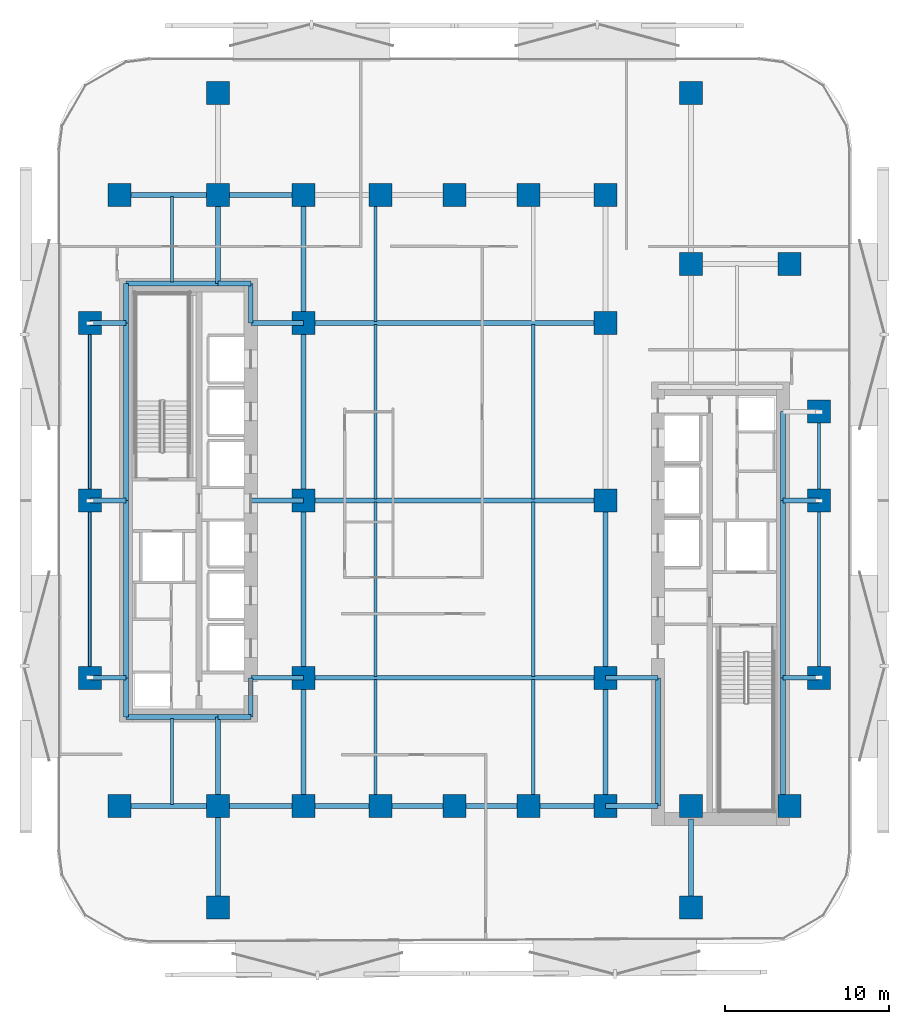
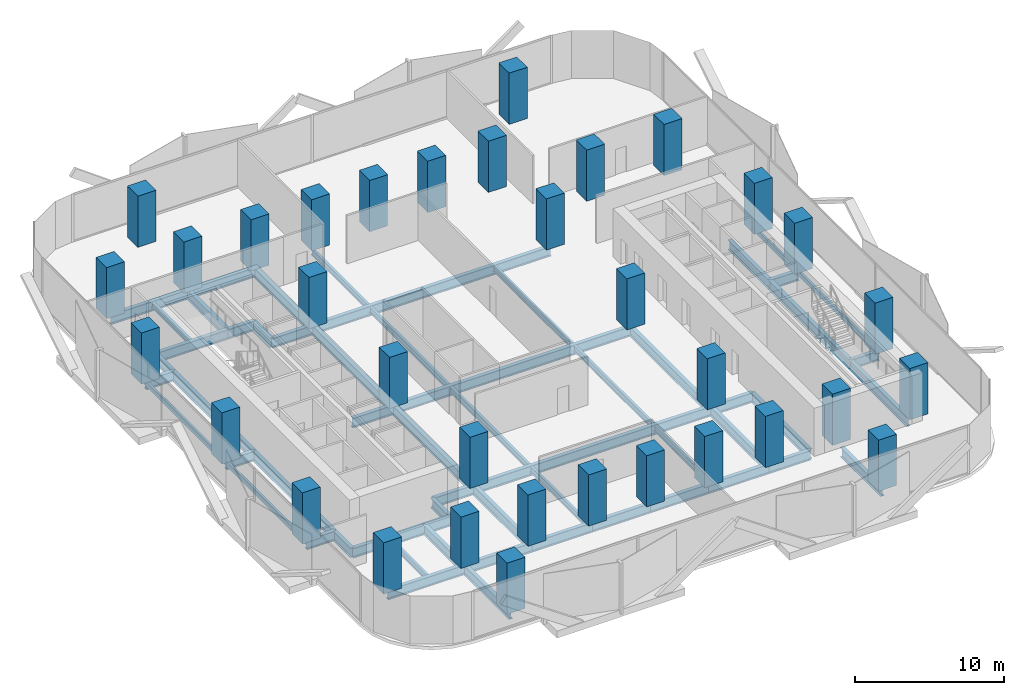
# One storey, part 1 of 15: 58 beams, 34 columns.
"""IFC4 building model written with IfcOpenShell, lengths in metres."""

from ifc_helpers import new_model, si_unit, direction, frame, origin, origin_2d, place, context, subcontext, project, spatial, rectangle, hollow_rectangle, i_section, extrude, material, material_profile, profile_set, type_object, element, save


model = new_model("IFC4")

# Units and contexts
model_context = context("Model", 3, precision=1e-05, world=origin(), true_north=direction((0.0, 1.0)))
body_context = subcontext(model_context, "Body", "Model", "MODEL_VIEW")
ifc_project = project(units=[si_unit("LENGTHUNIT", "METRE"), si_unit("AREAUNIT", "SQUARE_METRE"), si_unit("VOLUMEUNIT", "CUBIC_METRE"), si_unit("PLANEANGLEUNIT", "RADIAN"), si_unit("MASSUNIT", "GRAM", prefix="KILO")], contexts=[model_context])

# Site, building, storey
site_placement = place(None, origin())
site = spatial("IfcSite", under=ifc_project, at=site_placement, CompositionType="ELEMENT")
building_placement = place(site_placement, origin())
building = spatial("IfcBuilding", under=site, at=building_placement, Name="Khairoan Windgate Tower", CompositionType="ELEMENT")
storey_placement = place(building_placement, frame((0.0, 0.0, 72.199951171875)))
storey = spatial("IfcBuildingStorey", under=building, at=storey_placement, Name="L17", CompositionType="ELEMENT", Elevation=72.199951171875)

# Columns
ifc_material_1 = material(Name="Concrete C60/75", Category="concrete")
ifc_material_profile_1 = material_profile(ifc_material_1, rectangle(XDim=1.39990234375, YDim=1.39990234375, at=origin_2d()))
ifc_profile_set_1 = profile_set([ifc_material_profile_1], Name="Concrete C60/75")
column_type = type_object("IfcColumnType", Name="Column C-T2 RC1400x1400", PredefinedType="COLUMN", material=ifc_profile_set_1)
for number, where, z_axis, x_axis, name in (
    (1, (-9.199951171875, -18.60009765625, 0.0), (0.0, 0.0, 1.0), (1.0, 0.0, 0.0), "Column L17-01"),
    (2, (-9.199951171875, -10.800048828125, 0.0), (0.0, 0.0, 1.0), (1.0, 0.0, 0.0), "Column L17-02"),
    (3, (-9.199951171875, 0.0, 0.0), (0.0, 0.0, 1.0), (1.0, 0.0, 0.0), "Column L17-03"),
    (4, (-9.199951171875, 10.800048828125, 0.0), (0.0, 0.0, 1.0), (1.0, 0.0, 0.0), "Column L17-04"),
    (5, (-9.199951171875, 18.60009765625, 0.0), (0.0, 0.0, 1.0), (1.0, 0.0, 0.0), "Column L17-05"),
    (6, (9.199951171875, -18.60009765625, 0.0), (0.0, 0.0, 1.0), (1.0, 0.0, 0.0), "Column L17-06"),
    (7, (9.199951171875, -10.800048828125, 0.0), (0.0, 0.0, 1.0), (1.0, 0.0, 0.0), "Column L17-07"),
    (8, (9.199951171875, 0.0, 0.0), (0.0, 0.0, 1.0), (1.0, 0.0, 0.0), "Column L17-08"),
    (9, (9.199951171875, 10.800048828125, 0.0), (0.0, 0.0, 1.0), (1.0, 0.0, 0.0), "Column L17-09"),
    (10, (9.199951171875, 18.60009765625, 0.0), (0.0, 0.0, 1.0), (1.0, 0.0, 0.0), "Column L17-10"),
    (11, (-20.39990234375, -18.60009765625, 0.0), (0.0, 0.0, 1.0), (1.0, 0.0, 0.0), "Column L17-11"),
    (12, (-20.39990234375, 18.60009765625, 0.0), (0.0, 0.0, 1.0), (1.0, 0.0, 0.0), "Column L17-12"),
    (13, (20.39990234375, -18.60009765625, 0.0), (0.0, 0.0, 1.0), (1.0, 0.0, 0.0), "Column L17-13"),
    (14, (20.39990234375, 14.39990234375, 0.0), (0.0, 0.0, 1.0), (1.0, 0.0, 0.0), "Column L17-14"),
    (15, (-14.39990234375, -18.60009765625, 0.0), (0.0, 0.0, 1.0), (1.0, 0.0, 0.0), "Column L17-15"),
    (16, (-14.39990234375, 18.60009765625, 0.0), (0.0, 0.0, 1.0), (1.0, 0.0, 0.0), "Column L17-16"),
    (17, (14.39990234375, -18.60009765625, 0.0), (0.0, 0.0, 1.0), (1.0, 0.0, 0.0), "Column L17-17"),
    (18, (14.39990234375, 14.39990234375, 0.0), (0.0, 0.0, 1.0), (1.0, 0.0, 0.0), "Column L17-18"),
    (19, (-4.5, -18.60009765625, 0.0), (0.0, 0.0, 1.0), (1.0, 0.0, 0.0), "Column L17-19"),
    (20, (0.0, -18.60009765625, 0.0), (0.0, 0.0, 1.0), (1.0, 0.0, 0.0), "Column L17-20"),
    (21, (4.5, -18.60009765625, 0.0), (0.0, 0.0, 1.0), (1.0, 0.0, 0.0), "Column L17-21"),
    (22, (-4.5, 18.60009765625, 0.0), (0.0, 0.0, 1.0), (1.0, 0.0, 0.0), "Column L17-22"),
    (23, (0.0, 18.60009765625, 0.0), (0.0, 0.0, 1.0), (1.0, 0.0, 0.0), "Column L17-23"),
    (24, (4.5, 18.60009765625, 0.0), (0.0, 0.0, 1.0), (1.0, 0.0, 0.0), "Column L17-24"),
    (25, (-22.199951171875, -10.800048828125, 0.0), (0.0, 0.0, 1.0), (1.0, 0.0, 0.0), "Column L17-25"),
    (26, (-22.199951171875, 0.0, 0.0), (0.0, 0.0, 1.0), (1.0, 0.0, 0.0), "Column L17-26"),
    (27, (-22.199951171875, 10.800048828125, 0.0), (0.0, 0.0, 1.0), (1.0, 0.0, 0.0), "Column L17-27"),
    (28, (22.199951171875, -10.800048828125, 0.0), (0.0, 0.0, 1.0), (1.0, 0.0, 0.0), "Column L17-28"),
    (29, (22.199951171875, 0.0, 0.0), (0.0, 0.0, 1.0), (1.0, 0.0, 0.0), "Column L17-29"),
    (30, (22.199951171875, 5.39990234375, 0.0), (0.0, 0.0, 1.0), (1.0, 0.0, 0.0), "Column L17-30"),
    (31, (-14.39990234375, -24.800048828125, 0.0), (0.0, 0.0, 1.0), (1.0, 0.0, 0.0), "Column L17-31"),
    (32, (-14.39990234375, 24.800048828125, 0.0), (0.0, 0.0, 1.0), (1.0, 0.0, 0.0), "Column L17-32"),
    (33, (14.39990234375, -24.800048828125, 0.0), (0.0, 0.0, 1.0), (1.0, 0.0, 0.0), "Column L17-33"),
    (34, (14.39990234375, 24.800048828125, 0.0), (0.0, 0.0, 1.0), (1.0, 0.0, 0.0), "Column L17-34"),
):
    element("IfcColumn", number, at=place(storey_placement, frame(where, z_axis=z_axis, x_axis=x_axis)), inside=storey, type_object=column_type, Name=name, PredefinedType="COLUMN", context=body_context, shape_type="SweptSolid", body=[
        extrude(rectangle(XDim=1.39990234375, YDim=1.39990234375, at=origin_2d()), origin(), (0.0, 0.0, 1.0), 4.199951171875),
    ])

# Beams
ifc_material_2 = material(Name="Steel S355", Category="steel")
ifc_material_profile_2 = material_profile(ifc_material_2, i_section(OverallWidth=0.300048828125, OverallDepth=0.800048828125, WebThickness=0.013916015625, FlangeThickness=0.02587890625, FilletRadius=0.028076171875, at=origin_2d()))
ifc_profile_set_2 = profile_set([ifc_material_profile_2], Name="Steel S355")
beam_type_1 = type_object("IfcBeamType", Name="Beam B-G2 H800x300x14x26", PredefinedType="BEAM", material=ifc_profile_set_2)
beam_1_placement = place(storey_placement, frame((-20.39990234375, -18.60009765625, -0.659912109375), z_axis=(1.0, 0.0, 0.0), x_axis=(0.0, 1.0, 0.0)))
element("IfcBeam", 35, at=beam_1_placement, inside=storey, type_object=beam_type_1, Name="L17 E-W Primary Girder 01", PredefinedType="BEAM", context=body_context, shape_type="SweptSolid", body=[
    extrude(i_section(OverallWidth=0.300048828125, OverallDepth=0.800048828125, WebThickness=0.013916015625, FlangeThickness=0.02587890625, FilletRadius=0.028076171875, at=origin_2d()), origin(), (0.0, 0.0, 1.0), 6.0),
])
beam_2_placement = place(storey_placement, frame((-14.39990234375, -18.60009765625, -0.659912109375), z_axis=(1.0, 0.0, 0.0), x_axis=(0.0, 1.0, 0.0)))
element("IfcBeam", 36, at=beam_2_placement, inside=storey, type_object=beam_type_1, Name="L17 E-W Primary Girder 02", PredefinedType="BEAM", context=body_context, shape_type="SweptSolid", body=[
    extrude(i_section(OverallWidth=0.300048828125, OverallDepth=0.800048828125, WebThickness=0.013916015625, FlangeThickness=0.02587890625, FilletRadius=0.028076171875, at=origin_2d()), origin(), (0.0, 0.0, 1.0), 5.199951171875),
])
beam_3_placement = place(storey_placement, frame((-9.199951171875, -18.60009765625, -0.659912109375), z_axis=(1.0, 0.0, 0.0), x_axis=(0.0, 1.0, 0.0)))
element("IfcBeam", 37, at=beam_3_placement, inside=storey, type_object=beam_type_1, Name="L17 E-W Primary Girder 03", PredefinedType="BEAM", context=body_context, shape_type="SweptSolid", body=[
    extrude(i_section(OverallWidth=0.300048828125, OverallDepth=0.800048828125, WebThickness=0.013916015625, FlangeThickness=0.02587890625, FilletRadius=0.028076171875, at=origin_2d()), origin(), (0.0, 0.0, 1.0), 4.699951171875),
])
for number, where, z_axis, x_axis, name in (
    (38, (-4.5, -18.60009765625, -0.659912109375), (1.0, 0.0, 0.0), (0.0, 1.0, 0.0), "L17 E-W Primary Girder 04"),
    (39, (0.0, -18.60009765625, -0.659912109375), (1.0, 0.0, 0.0), (0.0, 1.0, 0.0), "L17 E-W Primary Girder 05"),
):
    element("IfcBeam", number, at=place(storey_placement, frame(where, z_axis=z_axis, x_axis=x_axis)), inside=storey, type_object=beam_type_1, Name=name, PredefinedType="BEAM", context=body_context, shape_type="SweptSolid", body=[
        extrude(i_section(OverallWidth=0.300048828125, OverallDepth=0.800048828125, WebThickness=0.013916015625, FlangeThickness=0.02587890625, FilletRadius=0.028076171875, at=origin_2d()), origin(), (0.0, 0.0, 1.0), 4.5),
    ])
beam_4_placement = place(storey_placement, frame((4.5, -18.60009765625, -0.659912109375), z_axis=(1.0, 0.0, 0.0), x_axis=(0.0, 1.0, 0.0)))
element("IfcBeam", 40, at=beam_4_placement, inside=storey, type_object=beam_type_1, Name="L17 E-W Primary Girder 06", PredefinedType="BEAM", context=body_context, shape_type="SweptSolid", body=[
    extrude(i_section(OverallWidth=0.300048828125, OverallDepth=0.800048828125, WebThickness=0.013916015625, FlangeThickness=0.02587890625, FilletRadius=0.028076171875, at=origin_2d()), origin(), (0.0, 0.0, 1.0), 4.699951171875),
])
beam_5_placement = place(storey_placement, frame((9.199951171875, -18.60009765625, -0.659912109375), z_axis=(1.0, 0.0, 0.0), x_axis=(0.0, 1.0, 0.0)))
element("IfcBeam", 41, at=beam_5_placement, inside=storey, type_object=beam_type_1, Name="L17 E-W Primary Girder 07", PredefinedType="BEAM", context=body_context, shape_type="SweptSolid", body=[
    extrude(i_section(OverallWidth=0.300048828125, OverallDepth=0.800048828125, WebThickness=0.013916015625, FlangeThickness=0.02587890625, FilletRadius=0.028076171875, at=origin_2d()), origin(), (0.0, 0.0, 1.0), 3.199951171875),
])
beam_6_placement = place(storey_placement, frame((-20.0, -13.199951171875, -0.659912109375), z_axis=(1.0, 0.0, 0.0), x_axis=(0.0, 1.0, 0.0)))
element("IfcBeam", 42, at=beam_6_placement, inside=storey, type_object=beam_type_1, Name="L17 E-W Primary Girder 08", PredefinedType="BEAM", context=body_context, shape_type="SweptSolid", body=[
    extrude(i_section(OverallWidth=0.300048828125, OverallDepth=0.800048828125, WebThickness=0.013916015625, FlangeThickness=0.02587890625, FilletRadius=0.028076171875, at=origin_2d()), origin(), (0.0, 0.0, 1.0), 5.60009765625),
])
beam_7_placement = place(storey_placement, frame((-14.39990234375, -13.199951171875, -0.659912109375), z_axis=(1.0, 0.0, 0.0), x_axis=(0.0, 1.0, 0.0)))
element("IfcBeam", 43, at=beam_7_placement, inside=storey, type_object=beam_type_1, Name="L17 E-W Primary Girder 09", PredefinedType="BEAM", context=body_context, shape_type="SweptSolid", body=[
    extrude(i_section(OverallWidth=0.300048828125, OverallDepth=0.800048828125, WebThickness=0.013916015625, FlangeThickness=0.02587890625, FilletRadius=0.028076171875, at=origin_2d()), origin(), (0.0, 0.0, 1.0), 2.0),
])
beam_8_placement = place(storey_placement, frame((-22.199951171875, -10.800048828125, -0.659912109375), z_axis=(1.0, 0.0, 0.0), x_axis=(0.0, 1.0, 0.0)))
element("IfcBeam", 44, at=beam_8_placement, inside=storey, type_object=beam_type_1, Name="L17 E-W Primary Girder 10", PredefinedType="BEAM", context=body_context, shape_type="SweptSolid", body=[
    extrude(i_section(OverallWidth=0.300048828125, OverallDepth=0.800048828125, WebThickness=0.013916015625, FlangeThickness=0.02587890625, FilletRadius=0.028076171875, at=origin_2d()), origin(), (0.0, 0.0, 1.0), 2.199951171875),
])
beam_9_placement = place(storey_placement, frame((-12.39990234375, -10.800048828125, -0.659912109375), z_axis=(1.0, 0.0, 0.0), x_axis=(0.0, 1.0, 0.0)))
element("IfcBeam", 45, at=beam_9_placement, inside=storey, type_object=beam_type_1, Name="L17 E-W Primary Girder 11", PredefinedType="BEAM", context=body_context, shape_type="SweptSolid", body=[
    extrude(i_section(OverallWidth=0.300048828125, OverallDepth=0.800048828125, WebThickness=0.013916015625, FlangeThickness=0.02587890625, FilletRadius=0.028076171875, at=origin_2d()), origin(), (0.0, 0.0, 1.0), 3.199951171875),
])
beam_10_placement = place(storey_placement, frame((-9.199951171875, -10.800048828125, -0.659912109375), z_axis=(1.0, 0.0, 0.0), x_axis=(0.0, 1.0, 0.0)))
element("IfcBeam", 46, at=beam_10_placement, inside=storey, type_object=beam_type_1, Name="L17 E-W Primary Girder 12", PredefinedType="BEAM", context=body_context, shape_type="SweptSolid", body=[
    extrude(i_section(OverallWidth=0.300048828125, OverallDepth=0.800048828125, WebThickness=0.013916015625, FlangeThickness=0.02587890625, FilletRadius=0.028076171875, at=origin_2d()), origin(), (0.0, 0.0, 1.0), 18.39990234375),
])
beam_11_placement = place(storey_placement, frame((9.199951171875, -10.800048828125, -0.659912109375), z_axis=(1.0, 0.0, 0.0), x_axis=(0.0, 1.0, 0.0)))
element("IfcBeam", 47, at=beam_11_placement, inside=storey, type_object=beam_type_1, Name="L17 E-W Primary Girder 13", PredefinedType="BEAM", context=body_context, shape_type="SweptSolid", body=[
    extrude(i_section(OverallWidth=0.300048828125, OverallDepth=0.800048828125, WebThickness=0.013916015625, FlangeThickness=0.02587890625, FilletRadius=0.028076171875, at=origin_2d()), origin(), (0.0, 0.0, 1.0), 3.199951171875),
])
for number, where, z_axis, x_axis, name in (
    (48, (20.0, -10.800048828125, -0.659912109375), (1.0, 0.0, 0.0), (0.0, 1.0, 0.0), "L17 E-W Primary Girder 14"),
    (49, (-22.199951171875, 0.0, -0.659912109375), (1.0, 0.0, 0.0), (0.0, 1.0, 0.0), "L17 E-W Primary Girder 15"),
):
    element("IfcBeam", number, at=place(storey_placement, frame(where, z_axis=z_axis, x_axis=x_axis)), inside=storey, type_object=beam_type_1, Name=name, PredefinedType="BEAM", context=body_context, shape_type="SweptSolid", body=[
        extrude(i_section(OverallWidth=0.300048828125, OverallDepth=0.800048828125, WebThickness=0.013916015625, FlangeThickness=0.02587890625, FilletRadius=0.028076171875, at=origin_2d()), origin(), (0.0, 0.0, 1.0), 2.199951171875),
    ])
beam_12_placement = place(storey_placement, frame((-12.39990234375, 0.0, -0.659912109375), z_axis=(1.0, 0.0, 0.0), x_axis=(0.0, 1.0, 0.0)))
element("IfcBeam", 50, at=beam_12_placement, inside=storey, type_object=beam_type_1, Name="L17 E-W Primary Girder 16", PredefinedType="BEAM", context=body_context, shape_type="SweptSolid", body=[
    extrude(i_section(OverallWidth=0.300048828125, OverallDepth=0.800048828125, WebThickness=0.013916015625, FlangeThickness=0.02587890625, FilletRadius=0.028076171875, at=origin_2d()), origin(), (0.0, 0.0, 1.0), 3.199951171875),
])
beam_13_placement = place(storey_placement, frame((-9.199951171875, 0.0, -0.659912109375), z_axis=(1.0, 0.0, 0.0), x_axis=(0.0, 1.0, 0.0)))
element("IfcBeam", 51, at=beam_13_placement, inside=storey, type_object=beam_type_1, Name="L17 E-W Primary Girder 17", PredefinedType="BEAM", context=body_context, shape_type="SweptSolid", body=[
    extrude(i_section(OverallWidth=0.300048828125, OverallDepth=0.800048828125, WebThickness=0.013916015625, FlangeThickness=0.02587890625, FilletRadius=0.028076171875, at=origin_2d()), origin(), (0.0, 0.0, 1.0), 18.39990234375),
])
for number, where, z_axis, x_axis, name in (
    (52, (20.0, 0.0, -0.659912109375), (1.0, 0.0, 0.0), (0.0, 1.0, 0.0), "L17 E-W Primary Girder 18"),
    (53, (-22.199951171875, 10.800048828125, -0.659912109375), (1.0, 0.0, 0.0), (0.0, 1.0, 0.0), "L17 E-W Primary Girder 22"),
):
    element("IfcBeam", number, at=place(storey_placement, frame(where, z_axis=z_axis, x_axis=x_axis)), inside=storey, type_object=beam_type_1, Name=name, PredefinedType="BEAM", context=body_context, shape_type="SweptSolid", body=[
        extrude(i_section(OverallWidth=0.300048828125, OverallDepth=0.800048828125, WebThickness=0.013916015625, FlangeThickness=0.02587890625, FilletRadius=0.028076171875, at=origin_2d()), origin(), (0.0, 0.0, 1.0), 2.199951171875),
    ])
beam_14_placement = place(storey_placement, frame((-12.39990234375, 10.800048828125, -0.659912109375), z_axis=(1.0, 0.0, 0.0), x_axis=(0.0, 1.0, 0.0)))
element("IfcBeam", 54, at=beam_14_placement, inside=storey, type_object=beam_type_1, Name="L17 E-W Primary Girder 23", PredefinedType="BEAM", context=body_context, shape_type="SweptSolid", body=[
    extrude(i_section(OverallWidth=0.300048828125, OverallDepth=0.800048828125, WebThickness=0.013916015625, FlangeThickness=0.02587890625, FilletRadius=0.028076171875, at=origin_2d()), origin(), (0.0, 0.0, 1.0), 3.199951171875),
])
beam_15_placement = place(storey_placement, frame((-9.199951171875, 10.800048828125, -0.659912109375), z_axis=(1.0, 0.0, 0.0), x_axis=(0.0, 1.0, 0.0)))
element("IfcBeam", 55, at=beam_15_placement, inside=storey, type_object=beam_type_1, Name="L17 E-W Primary Girder 24", PredefinedType="BEAM", context=body_context, shape_type="SweptSolid", body=[
    extrude(i_section(OverallWidth=0.300048828125, OverallDepth=0.800048828125, WebThickness=0.013916015625, FlangeThickness=0.02587890625, FilletRadius=0.028076171875, at=origin_2d()), origin(), (0.0, 0.0, 1.0), 18.39990234375),
])
beam_16_placement = place(storey_placement, frame((-20.0, 13.199951171875, -0.659912109375), z_axis=(1.0, 0.0, 0.0), x_axis=(0.0, 1.0, 0.0)))
element("IfcBeam", 56, at=beam_16_placement, inside=storey, type_object=beam_type_1, Name="L17 E-W Primary Girder 25", PredefinedType="BEAM", context=body_context, shape_type="SweptSolid", body=[
    extrude(i_section(OverallWidth=0.300048828125, OverallDepth=0.800048828125, WebThickness=0.013916015625, FlangeThickness=0.02587890625, FilletRadius=0.028076171875, at=origin_2d()), origin(), (0.0, 0.0, 1.0), 5.60009765625),
])
beam_17_placement = place(storey_placement, frame((-14.39990234375, 13.199951171875, -0.659912109375), z_axis=(1.0, 0.0, 0.0), x_axis=(0.0, 1.0, 0.0)))
element("IfcBeam", 57, at=beam_17_placement, inside=storey, type_object=beam_type_1, Name="L17 E-W Primary Girder 26", PredefinedType="BEAM", context=body_context, shape_type="SweptSolid", body=[
    extrude(i_section(OverallWidth=0.300048828125, OverallDepth=0.800048828125, WebThickness=0.013916015625, FlangeThickness=0.02587890625, FilletRadius=0.028076171875, at=origin_2d()), origin(), (0.0, 0.0, 1.0), 2.0),
])
beam_18_placement = place(storey_placement, frame((-20.39990234375, 18.60009765625, -0.659912109375), z_axis=(1.0, 0.0, 0.0), x_axis=(0.0, 1.0, 0.0)))
element("IfcBeam", 58, at=beam_18_placement, inside=storey, type_object=beam_type_1, Name="L17 E-W Primary Girder 28", PredefinedType="BEAM", context=body_context, shape_type="SweptSolid", body=[
    extrude(i_section(OverallWidth=0.300048828125, OverallDepth=0.800048828125, WebThickness=0.013916015625, FlangeThickness=0.02587890625, FilletRadius=0.028076171875, at=origin_2d()), origin(), (0.0, 0.0, 1.0), 6.0),
])
beam_19_placement = place(storey_placement, frame((-14.39990234375, 18.60009765625, -0.659912109375), z_axis=(1.0, 0.0, 0.0), x_axis=(0.0, 1.0, 0.0)))
element("IfcBeam", 59, at=beam_19_placement, inside=storey, type_object=beam_type_1, Name="L17 E-W Primary Girder 29", PredefinedType="BEAM", context=body_context, shape_type="SweptSolid", body=[
    extrude(i_section(OverallWidth=0.300048828125, OverallDepth=0.800048828125, WebThickness=0.013916015625, FlangeThickness=0.02587890625, FilletRadius=0.028076171875, at=origin_2d()), origin(), (0.0, 0.0, 1.0), 5.199951171875),
])
beam_20_placement = place(storey_placement, frame((-20.0, -13.199951171875, -0.659912109375), z_axis=(0.0, 1.0, 0.0), x_axis=(-1.0, 0.0, 0.0)))
element("IfcBeam", 60, at=beam_20_placement, inside=storey, type_object=beam_type_1, Name="L17 N-S Primary Beam 36", PredefinedType="BEAM", context=body_context, shape_type="SweptSolid", body=[
    extrude(i_section(OverallWidth=0.300048828125, OverallDepth=0.800048828125, WebThickness=0.013916015625, FlangeThickness=0.02587890625, FilletRadius=0.028076171875, at=origin_2d()), origin(), (0.0, 0.0, 1.0), 2.39990234375),
])
for number, where, z_axis, x_axis, name in (
    (61, (-20.0, -10.800048828125, -0.659912109375), (0.0, 1.0, 0.0), (-1.0, 0.0, 0.0), "L17 N-S Primary Beam 37"),
    (62, (-20.0, 0.0, -0.659912109375), (0.0, 1.0, 0.0), (-1.0, 0.0, 0.0), "L17 N-S Primary Beam 38"),
):
    element("IfcBeam", number, at=place(storey_placement, frame(where, z_axis=z_axis, x_axis=x_axis)), inside=storey, type_object=beam_type_1, Name=name, PredefinedType="BEAM", context=body_context, shape_type="SweptSolid", body=[
        extrude(i_section(OverallWidth=0.300048828125, OverallDepth=0.800048828125, WebThickness=0.013916015625, FlangeThickness=0.02587890625, FilletRadius=0.028076171875, at=origin_2d()), origin(), (0.0, 0.0, 1.0), 10.800048828125),
    ])
beam_21_placement = place(storey_placement, frame((-20.0, 10.800048828125, -0.659912109375), z_axis=(0.0, 1.0, 0.0), x_axis=(-1.0, 0.0, 0.0)))
element("IfcBeam", 63, at=beam_21_placement, inside=storey, type_object=beam_type_1, Name="L17 N-S Primary Beam 39", PredefinedType="BEAM", context=body_context, shape_type="SweptSolid", body=[
    extrude(i_section(OverallWidth=0.300048828125, OverallDepth=0.800048828125, WebThickness=0.013916015625, FlangeThickness=0.02587890625, FilletRadius=0.028076171875, at=origin_2d()), origin(), (0.0, 0.0, 1.0), 2.39990234375),
])
beam_22_placement = place(storey_placement, frame((-14.39990234375, -24.800048828125, -0.659912109375), z_axis=(0.0, 1.0, 0.0), x_axis=(-1.0, 0.0, 0.0)))
element("IfcBeam", 64, at=beam_22_placement, inside=storey, type_object=beam_type_1, Name="L17 N-S Primary Beam 40", PredefinedType="BEAM", context=body_context, shape_type="SweptSolid", body=[
    extrude(i_section(OverallWidth=0.300048828125, OverallDepth=0.800048828125, WebThickness=0.013916015625, FlangeThickness=0.02587890625, FilletRadius=0.028076171875, at=origin_2d()), origin(), (0.0, 0.0, 1.0), 6.199951171875),
])
for number, where, z_axis, x_axis, name in (
    (65, (-14.39990234375, -18.60009765625, -0.659912109375), (0.0, 1.0, 0.0), (-1.0, 0.0, 0.0), "L17 N-S Primary Beam 41"),
    (66, (-14.39990234375, 13.199951171875, -0.659912109375), (0.0, 1.0, 0.0), (-1.0, 0.0, 0.0), "L17 N-S Primary Beam 42"),
):
    element("IfcBeam", number, at=place(storey_placement, frame(where, z_axis=z_axis, x_axis=x_axis)), inside=storey, type_object=beam_type_1, Name=name, PredefinedType="BEAM", context=body_context, shape_type="SweptSolid", body=[
        extrude(i_section(OverallWidth=0.300048828125, OverallDepth=0.800048828125, WebThickness=0.013916015625, FlangeThickness=0.02587890625, FilletRadius=0.028076171875, at=origin_2d()), origin(), (0.0, 0.0, 1.0), 5.400146484375),
    ])
for number, where, z_axis, x_axis, name in (
    (67, (-12.39990234375, -13.199951171875, -0.659912109375), (0.0, 1.0, 0.0), (-1.0, 0.0, 0.0), "L17 N-S Primary Beam 44"),
    (68, (-12.39990234375, 10.800048828125, -0.659912109375), (0.0, 1.0, 0.0), (-1.0, 0.0, 0.0), "L17 N-S Primary Beam 45"),
):
    element("IfcBeam", number, at=place(storey_placement, frame(where, z_axis=z_axis, x_axis=x_axis)), inside=storey, type_object=beam_type_1, Name=name, PredefinedType="BEAM", context=body_context, shape_type="SweptSolid", body=[
        extrude(i_section(OverallWidth=0.300048828125, OverallDepth=0.800048828125, WebThickness=0.013916015625, FlangeThickness=0.02587890625, FilletRadius=0.028076171875, at=origin_2d()), origin(), (0.0, 0.0, 1.0), 2.39990234375),
    ])
beam_23_placement = place(storey_placement, frame((-9.199951171875, -18.60009765625, -0.659912109375), z_axis=(0.0, 1.0, 0.0), x_axis=(-1.0, 0.0, 0.0)))
element("IfcBeam", 69, at=beam_23_placement, inside=storey, type_object=beam_type_1, Name="L17 N-S Primary Beam 46", PredefinedType="BEAM", context=body_context, shape_type="SweptSolid", body=[
    extrude(i_section(OverallWidth=0.300048828125, OverallDepth=0.800048828125, WebThickness=0.013916015625, FlangeThickness=0.02587890625, FilletRadius=0.028076171875, at=origin_2d()), origin(), (0.0, 0.0, 1.0), 7.800048828125),
])
for number, where, z_axis, x_axis, name in (
    (70, (-9.199951171875, -10.800048828125, -0.659912109375), (0.0, 1.0, 0.0), (-1.0, 0.0, 0.0), "L17 N-S Primary Beam 47"),
    (71, (-9.199951171875, 0.0, -0.659912109375), (0.0, 1.0, 0.0), (-1.0, 0.0, 0.0), "L17 N-S Primary Beam 48"),
):
    element("IfcBeam", number, at=place(storey_placement, frame(where, z_axis=z_axis, x_axis=x_axis)), inside=storey, type_object=beam_type_1, Name=name, PredefinedType="BEAM", context=body_context, shape_type="SweptSolid", body=[
        extrude(i_section(OverallWidth=0.300048828125, OverallDepth=0.800048828125, WebThickness=0.013916015625, FlangeThickness=0.02587890625, FilletRadius=0.028076171875, at=origin_2d()), origin(), (0.0, 0.0, 1.0), 10.800048828125),
    ])
for number, where, z_axis, x_axis, name in (
    (72, (-9.199951171875, 10.800048828125, -0.659912109375), (0.0, 1.0, 0.0), (-1.0, 0.0, 0.0), "L17 N-S Primary Beam 49"),
    (73, (9.199951171875, -18.60009765625, -0.659912109375), (0.0, 1.0, 0.0), (-1.0, 0.0, 0.0), "L17 N-S Primary Beam 50"),
):
    element("IfcBeam", number, at=place(storey_placement, frame(where, z_axis=z_axis, x_axis=x_axis)), inside=storey, type_object=beam_type_1, Name=name, PredefinedType="BEAM", context=body_context, shape_type="SweptSolid", body=[
        extrude(i_section(OverallWidth=0.300048828125, OverallDepth=0.800048828125, WebThickness=0.013916015625, FlangeThickness=0.02587890625, FilletRadius=0.028076171875, at=origin_2d()), origin(), (0.0, 0.0, 1.0), 7.800048828125),
    ])
beam_24_placement = place(storey_placement, frame((9.199951171875, -10.800048828125, -0.659912109375), z_axis=(0.0, 1.0, 0.0), x_axis=(-1.0, 0.0, 0.0)))
element("IfcBeam", 74, at=beam_24_placement, inside=storey, type_object=beam_type_1, Name="L17 N-S Primary Beam 51", PredefinedType="BEAM", context=body_context, shape_type="SweptSolid", body=[
    extrude(i_section(OverallWidth=0.300048828125, OverallDepth=0.800048828125, WebThickness=0.013916015625, FlangeThickness=0.02587890625, FilletRadius=0.028076171875, at=origin_2d()), origin(), (0.0, 0.0, 1.0), 10.800048828125),
])
beam_25_placement = place(storey_placement, frame((12.39990234375, -18.60009765625, -0.659912109375), z_axis=(0.0, 1.0, 0.0), x_axis=(-1.0, 0.0, 0.0)))
element("IfcBeam", 75, at=beam_25_placement, inside=storey, type_object=beam_type_1, Name="L17 N-S Primary Beam 54", PredefinedType="BEAM", context=body_context, shape_type="SweptSolid", body=[
    extrude(i_section(OverallWidth=0.300048828125, OverallDepth=0.800048828125, WebThickness=0.013916015625, FlangeThickness=0.02587890625, FilletRadius=0.028076171875, at=origin_2d()), origin(), (0.0, 0.0, 1.0), 7.800048828125),
])
beam_26_placement = place(storey_placement, frame((14.39990234375, -24.800048828125, -0.659912109375), z_axis=(0.0, 1.0, 0.0), x_axis=(-1.0, 0.0, 0.0)))
element("IfcBeam", 76, at=beam_26_placement, inside=storey, type_object=beam_type_1, Name="L17 N-S Primary Beam 55", PredefinedType="BEAM", context=body_context, shape_type="SweptSolid", body=[
    extrude(i_section(OverallWidth=0.300048828125, OverallDepth=0.800048828125, WebThickness=0.013916015625, FlangeThickness=0.02587890625, FilletRadius=0.028076171875, at=origin_2d()), origin(), (0.0, 0.0, 1.0), 5.400146484375),
])
beam_27_placement = place(storey_placement, frame((20.0, -18.60009765625, -0.659912109375), z_axis=(0.0, 1.0, 0.0), x_axis=(-1.0, 0.0, 0.0)))
element("IfcBeam", 77, at=beam_27_placement, inside=storey, type_object=beam_type_1, Name="L17 N-S Primary Beam 58", PredefinedType="BEAM", context=body_context, shape_type="SweptSolid", body=[
    extrude(i_section(OverallWidth=0.300048828125, OverallDepth=0.800048828125, WebThickness=0.013916015625, FlangeThickness=0.02587890625, FilletRadius=0.028076171875, at=origin_2d()), origin(), (0.0, 0.0, 1.0), 7.800048828125),
])
beam_28_placement = place(storey_placement, frame((20.0, -10.800048828125, -0.659912109375), z_axis=(0.0, 1.0, 0.0), x_axis=(-1.0, 0.0, 0.0)))
element("IfcBeam", 78, at=beam_28_placement, inside=storey, type_object=beam_type_1, Name="L17 N-S Primary Beam 59", PredefinedType="BEAM", context=body_context, shape_type="SweptSolid", body=[
    extrude(i_section(OverallWidth=0.300048828125, OverallDepth=0.800048828125, WebThickness=0.013916015625, FlangeThickness=0.02587890625, FilletRadius=0.028076171875, at=origin_2d()), origin(), (0.0, 0.0, 1.0), 10.800048828125),
])
beam_29_placement = place(storey_placement, frame((20.0, 0.0, -0.659912109375), z_axis=(0.0, 1.0, 0.0), x_axis=(-1.0, 0.0, 0.0)))
element("IfcBeam", 79, at=beam_29_placement, inside=storey, type_object=beam_type_1, Name="L17 N-S Primary Beam 60", PredefinedType="BEAM", context=body_context, shape_type="SweptSolid", body=[
    extrude(i_section(OverallWidth=0.300048828125, OverallDepth=0.800048828125, WebThickness=0.013916015625, FlangeThickness=0.02587890625, FilletRadius=0.028076171875, at=origin_2d()), origin(), (0.0, 0.0, 1.0), 5.39990234375),
])
ifc_material_3 = material(Name="Steel S355", Category="steel")
ifc_material_profile_3 = material_profile(ifc_material_3, i_section(OverallWidth=0.199951171875, OverallDepth=0.5, WebThickness=0.010009765625, FlangeThickness=0.01611328125, FilletRadius=0.02001953125, at=origin_2d()))
ifc_profile_set_3 = profile_set([ifc_material_profile_3], Name="Steel S355")
beam_type_2 = type_object("IfcBeamType", Name="Beam J-S2 H500x200x10x16", PredefinedType="JOIST", material=ifc_profile_set_3)
for number, where, z_axis, x_axis, name in (
    (80, (-17.199951171875, -18.510009765625, -0.510009765625), (0.0, 1.0, 0.0), (-1.0, 0.0, 0.0), "L17 Secondary Floor Joist 01"),
    (81, (-17.199951171875, 13.2900390625, -0.510009765625), (0.0, 1.0, 0.0), (-1.0, 0.0, 0.0), "L17 Secondary Floor Joist 02"),
):
    element("IfcBeam", number, at=place(storey_placement, frame(where, z_axis=z_axis, x_axis=x_axis)), inside=storey, type_object=beam_type_2, Name=name, PredefinedType="JOIST", context=body_context, shape_type="SweptSolid", body=[
        extrude(i_section(OverallWidth=0.199951171875, OverallDepth=0.5, WebThickness=0.010009765625, FlangeThickness=0.01611328125, FilletRadius=0.02001953125, at=origin_2d()), origin(), (0.0, 0.0, 1.0), 5.219970703125),
    ])
beam_30_placement = place(storey_placement, frame((-4.800048828125, -18.510009765625, -0.510009765625), z_axis=(0.0, 1.0, 0.0), x_axis=(-1.0, 0.0, 0.0)))
element("IfcBeam", 82, at=beam_30_placement, inside=storey, type_object=beam_type_2, Name="L17 Secondary Floor Joist 03", PredefinedType="JOIST", context=body_context, shape_type="SweptSolid", body=[
    extrude(i_section(OverallWidth=0.199951171875, OverallDepth=0.5, WebThickness=0.010009765625, FlangeThickness=0.01611328125, FilletRadius=0.02001953125, at=origin_2d()), origin(), (0.0, 0.0, 1.0), 7.6201171875),
])
for number, where, z_axis, x_axis, name in (
    (83, (-4.800048828125, -10.7099609375, -0.510009765625), (0.0, 1.0, 0.0), (-1.0, 0.0, 0.0), "L17 Secondary Floor Joist 04"),
    (84, (-4.800048828125, 0.090087890625, -0.510009765625), (0.0, 1.0, 0.0), (-1.0, 0.0, 0.0), "L17 Secondary Floor Joist 05"),
):
    element("IfcBeam", number, at=place(storey_placement, frame(where, z_axis=z_axis, x_axis=x_axis)), inside=storey, type_object=beam_type_2, Name=name, PredefinedType="JOIST", context=body_context, shape_type="SweptSolid", body=[
        extrude(i_section(OverallWidth=0.199951171875, OverallDepth=0.5, WebThickness=0.010009765625, FlangeThickness=0.01611328125, FilletRadius=0.02001953125, at=origin_2d()), origin(), (0.0, 0.0, 1.0), 10.619873046875),
    ])
for number, where, z_axis, x_axis, name in (
    (85, (-4.800048828125, 10.889892578125, -0.510009765625), (0.0, 1.0, 0.0), (-1.0, 0.0, 0.0), "L17 Secondary Floor Joist 06"),
    (86, (4.800048828125, -18.510009765625, -0.510009765625), (0.0, 1.0, 0.0), (-1.0, 0.0, 0.0), "L17 Secondary Floor Joist 07"),
):
    element("IfcBeam", number, at=place(storey_placement, frame(where, z_axis=z_axis, x_axis=x_axis)), inside=storey, type_object=beam_type_2, Name=name, PredefinedType="JOIST", context=body_context, shape_type="SweptSolid", body=[
        extrude(i_section(OverallWidth=0.199951171875, OverallDepth=0.5, WebThickness=0.010009765625, FlangeThickness=0.01611328125, FilletRadius=0.02001953125, at=origin_2d()), origin(), (0.0, 0.0, 1.0), 7.6201171875),
    ])
for number, where, z_axis, x_axis, name in (
    (87, (4.800048828125, -10.7099609375, -0.510009765625), (0.0, 1.0, 0.0), (-1.0, 0.0, 0.0), "L17 Secondary Floor Joist 08"),
    (88, (4.800048828125, 0.090087890625, -0.510009765625), (0.0, 1.0, 0.0), (-1.0, 0.0, 0.0), "L17 Secondary Floor Joist 09"),
):
    element("IfcBeam", number, at=place(storey_placement, frame(where, z_axis=z_axis, x_axis=x_axis)), inside=storey, type_object=beam_type_2, Name=name, PredefinedType="JOIST", context=body_context, shape_type="SweptSolid", body=[
        extrude(i_section(OverallWidth=0.199951171875, OverallDepth=0.5, WebThickness=0.010009765625, FlangeThickness=0.01611328125, FilletRadius=0.02001953125, at=origin_2d()), origin(), (0.0, 0.0, 1.0), 10.619873046875),
    ])
ifc_material_4 = material(Name="Steel S355", Category="steel")
ifc_material_profile_4 = material_profile(ifc_material_4, hollow_rectangle(XDim=0.199951171875, YDim=0.39990234375, WallThickness=0.013916015625, InnerFilletRadius=0.013916015625, OuterFilletRadius=0.028076171875, at=origin_2d()))
ifc_profile_set_4 = profile_set([ifc_material_profile_4], Name="Steel S355")
beam_type_3 = type_object("IfcBeamType", Name="Beam SP-B1 RHS400x200x14", PredefinedType="SPANDREL", material=ifc_profile_set_4)
for number, where, z_axis, x_axis, name in (
    (89, (-22.199951171875, -10.800048828125, -0.4599609375), (0.0, 1.0, 0.0), (-1.0, 0.0, 0.0), "L17 Spandrel Beam 34"),
    (90, (-22.199951171875, 0.0, -0.4599609375), (0.0, 1.0, 0.0), (-1.0, 0.0, 0.0), "L17 Spandrel Beam 35"),
    (91, (22.199951171875, -10.800048828125, -0.4599609375), (0.0, 1.0, 0.0), (-1.0, 0.0, 0.0), "L17 Spandrel Beam 61"),
):
    element("IfcBeam", number, at=place(storey_placement, frame(where, z_axis=z_axis, x_axis=x_axis)), inside=storey, type_object=beam_type_3, Name=name, PredefinedType="SPANDREL", context=body_context, shape_type="SweptSolid", body=[
        extrude(hollow_rectangle(XDim=0.199951171875, YDim=0.39990234375, WallThickness=0.013916015625, InnerFilletRadius=0.013916015625, OuterFilletRadius=0.028076171875, at=origin_2d()), origin(), (0.0, 0.0, 1.0), 10.800048828125),
    ])
beam_31_placement = place(storey_placement, frame((22.199951171875, 0.0, -0.4599609375), z_axis=(0.0, 1.0, 0.0), x_axis=(-1.0, 0.0, 0.0)))
element("IfcBeam", 92, at=beam_31_placement, inside=storey, type_object=beam_type_3, Name="L17 Spandrel Beam 62", PredefinedType="SPANDREL", context=body_context, shape_type="SweptSolid", body=[
    extrude(hollow_rectangle(XDim=0.199951171875, YDim=0.39990234375, WallThickness=0.013916015625, InnerFilletRadius=0.013916015625, OuterFilletRadius=0.028076171875, at=origin_2d()), origin(), (0.0, 0.0, 1.0), 5.39990234375),
])

save(model, "model.ifc")
